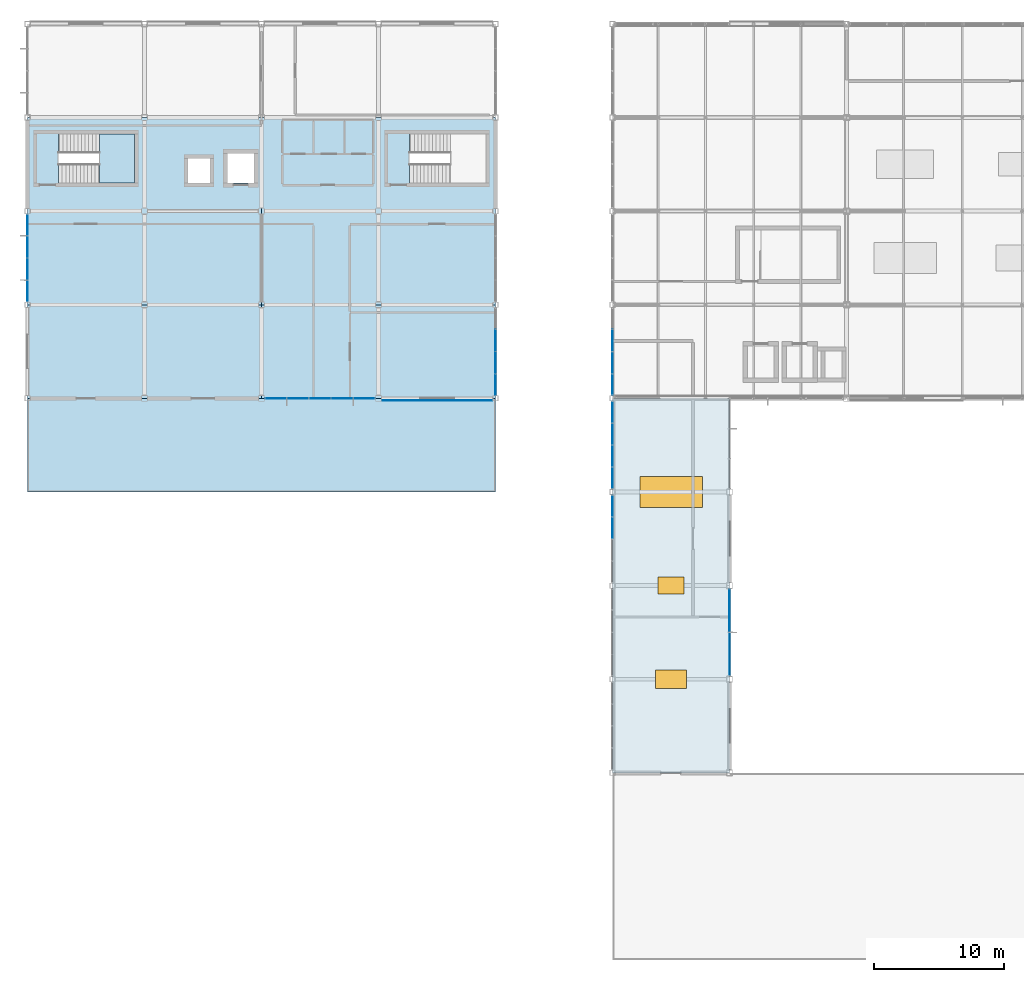
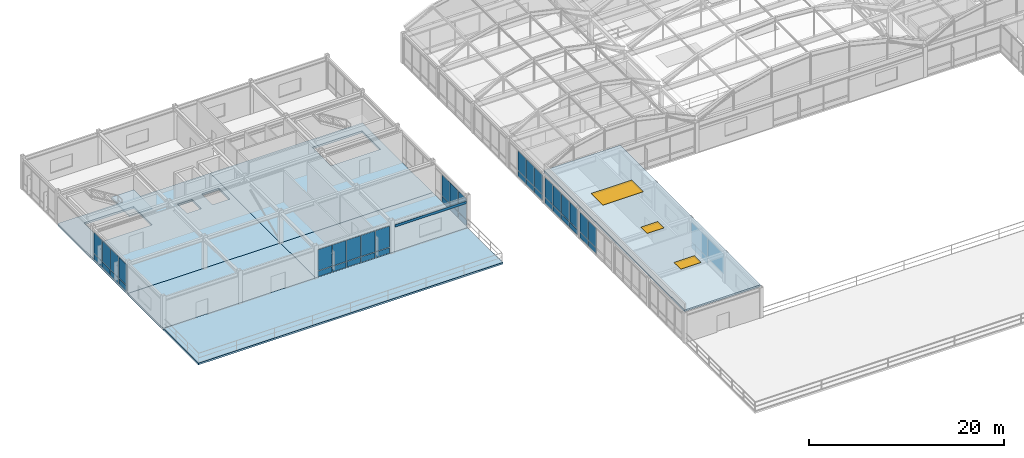
# One storey, part 77 of 106: 46 plates, 7 slabs, 3 windows, 3 openings, 8 elements without a shape of their own.
"""IFC4 building model written with IfcOpenShell, lengths in metres."""

from ifc_helpers import new_model, si_unit, direction, frame, origin, origin_2d, place, context, subcontext, project, spatial, polyline, rectangle, outline, extrude, material, layer, layer_set, type_object, element, fill, aggregate, save


model = new_model("IFC4")

# Units and contexts
model_context = context("Model", 3, precision=1e-05, world=origin(), true_north=direction((0.0, 1.0)))
body_context = subcontext(model_context, "Body", "Model", "MODEL_VIEW")
ifc_project = project(units=[si_unit("LENGTHUNIT", "METRE"), si_unit("AREAUNIT", "SQUARE_METRE"), si_unit("VOLUMEUNIT", "CUBIC_METRE"), si_unit("PLANEANGLEUNIT", "RADIAN"), si_unit("MASSUNIT", "GRAM", prefix="KILO")], contexts=[model_context])

# Site, building, storey
site_placement = place(None, origin())
site = spatial("IfcSite", under=ifc_project, at=site_placement, CompositionType="ELEMENT")
building_placement = place(site_placement, origin())
building = spatial("IfcBuilding", under=site, at=building_placement, Name="Kazanami Central Library", CompositionType="ELEMENT")
storey_placement = place(building_placement, frame((0.0, 0.0, 12.800048828125)))
storey = spatial("IfcBuildingStorey", under=building, at=storey_placement, Name="L04", CompositionType="ELEMENT", Elevation=12.800048828125)

# Curtain wall, plates
ifc_material_1 = material(Name="Acid-Etched Low-E Laminated Glass", Category="glass")
curtain_wall_type_1 = type_object("IfcCurtainWallType", Name="CW-8550x3490-M180", PredefinedType="USERDEFINED", material=ifc_material_1)
curtain_wall_1_placement = place(storey_placement, origin())
curtain_wall_1 = element("IfcCurtainWall", 1, at=curtain_wall_1_placement, inside=storey, type_object=curtain_wall_type_1, Name="Unitised Curtain Wall CW-39 L04 S-K-02", ObjectType="UNITISED CURTAIN WALL", PredefinedType="USERDEFINED")
ifc_layer_1 = layer(ifc_material_1, 0.035888671875, Name="Acid-Etched Low-E Laminated Glass")
ifc_layer_set_1 = layer_set([ifc_layer_1], Name="Acid-Etched Low-E Laminated Glass")
plate_type_1 = type_object("IfcPlateType", Name="PLT-CW-P1", PredefinedType="CURTAIN_PANEL", material=ifc_layer_set_1)
plate_1_placement = place(storey_placement, frame((19.094970703125, 64.800048828125, 0.809814453125), z_axis=(0.0, 0.0, 1.0), x_axis=(1.0, 0.0, 0.0)))
plate_1 = element("IfcPlate", 2, at=plate_1_placement, type_object=plate_type_1, Name="CW-39 panel 1.2", PredefinedType="CURTAIN_PANEL", context=body_context, shape_type="SweptSolid", body=[
    extrude(rectangle(XDim=1.6201171875, YDim=0.035888671875, at=origin_2d()), origin(), (0.0, 0.0, 1.0), 2.6201171875),
])
plate_2_placement = place(storey_placement, frame((20.7900390625, 64.800048828125, 0.809814453125), z_axis=(0.0, 0.0, 1.0), x_axis=(1.0, 0.0, 0.0)))
plate_2 = element("IfcPlate", 3, at=plate_2_placement, type_object=plate_type_1, Name="CW-39 panel 2.2", PredefinedType="CURTAIN_PANEL", context=body_context, shape_type="SweptSolid", body=[
    extrude(rectangle(XDim=1.64990234375, YDim=0.035888671875, at=origin_2d()), origin(), (0.0, 0.0, 1.0), 2.6201171875),
])
plate_3_placement = place(storey_placement, frame((22.5, 64.800048828125, 0.809814453125), z_axis=(0.0, 0.0, 1.0), x_axis=(1.0, 0.0, 0.0)))
plate_3 = element("IfcPlate", 4, at=plate_3_placement, type_object=plate_type_1, Name="CW-39 panel 3.2", PredefinedType="CURTAIN_PANEL", context=body_context, shape_type="SweptSolid", body=[
    extrude(rectangle(XDim=1.64990234375, YDim=0.035888671875, at=origin_2d()), origin(), (0.0, 0.0, 1.0), 2.6201171875),
])
plate_4_placement = place(storey_placement, frame((24.2099609375, 64.800048828125, 0.809814453125), z_axis=(0.0, 0.0, 1.0), x_axis=(1.0, 0.0, 0.0)))
plate_4 = element("IfcPlate", 5, at=plate_4_placement, type_object=plate_type_1, Name="CW-39 panel 4.2", PredefinedType="CURTAIN_PANEL", context=body_context, shape_type="SweptSolid", body=[
    extrude(rectangle(XDim=1.64990234375, YDim=0.035888671875, at=origin_2d()), origin(), (0.0, 0.0, 1.0), 2.6201171875),
])
plate_5_placement = place(storey_placement, frame((25.905029296875, 64.800048828125, 0.809814453125), z_axis=(0.0, 0.0, 1.0), x_axis=(1.0, 0.0, 0.0)))
plate_5 = element("IfcPlate", 6, at=plate_5_placement, type_object=plate_type_1, Name="CW-39 panel 5.2", PredefinedType="CURTAIN_PANEL", context=body_context, shape_type="SweptSolid", body=[
    extrude(rectangle(XDim=1.6201171875, YDim=0.035888671875, at=origin_2d()), origin(), (0.0, 0.0, 1.0), 2.6201171875),
])

curtain_wall_type_2 = type_object("IfcCurtainWallType", Name="CW-6800x3490-M180", PredefinedType="USERDEFINED", material=ifc_material_1)
curtain_wall_2_placement = place(storey_placement, origin())
curtain_wall_2 = element("IfcCurtainWall", 7, at=curtain_wall_2_placement, inside=storey, type_object=curtain_wall_type_2, Name="Unitised Curtain Wall CW-43 L04 W-1-10", ObjectType="UNITISED CURTAIN WALL", PredefinedType="USERDEFINED")
plate_6_placement = place(storey_placement, frame((0.0, 73.06494140625, 0.809814453125), z_axis=(0.0, 0.0, 1.0), x_axis=(0.0, 1.0, 0.0)))
plate_6 = element("IfcPlate", 8, at=plate_6_placement, type_object=plate_type_1, Name="CW-43 panel 1.2", PredefinedType="CURTAIN_PANEL", context=body_context, shape_type="SweptSolid", body=[
    extrude(rectangle(XDim=1.610107421875, YDim=0.035888671875, at=origin_2d()), origin(), (0.0, 0.0, 1.0), 2.6201171875),
])
plate_7_placement = place(storey_placement, frame((0.0, 74.75, 0.809814453125), z_axis=(0.0, 0.0, 1.0), x_axis=(0.0, 1.0, 0.0)))
plate_7 = element("IfcPlate", 9, at=plate_7_placement, type_object=plate_type_1, Name="CW-43 panel 2.2", PredefinedType="CURTAIN_PANEL", context=body_context, shape_type="SweptSolid", body=[
    extrude(rectangle(XDim=1.639892578125, YDim=0.035888671875, at=origin_2d()), origin(), (0.0, 0.0, 1.0), 2.6201171875),
])
plate_8_placement = place(storey_placement, frame((0.0, 76.449951171875, 0.809814453125), z_axis=(0.0, 0.0, 1.0), x_axis=(0.0, 1.0, 0.0)))
plate_8 = element("IfcPlate", 10, at=plate_8_placement, type_object=plate_type_1, Name="CW-43 panel 3.2", PredefinedType="CURTAIN_PANEL", context=body_context, shape_type="SweptSolid", body=[
    extrude(rectangle(XDim=1.639892578125, YDim=0.035888671875, at=origin_2d()), origin(), (0.0, 0.0, 1.0), 2.6201171875),
])
plate_9_placement = place(storey_placement, frame((0.0, 78.135009765625, 0.809814453125), z_axis=(0.0, 0.0, 1.0), x_axis=(0.0, 1.0, 0.0)))
plate_9 = element("IfcPlate", 11, at=plate_9_placement, type_object=plate_type_1, Name="CW-43 panel 4.2", PredefinedType="CURTAIN_PANEL", context=body_context, shape_type="SweptSolid", body=[
    extrude(rectangle(XDim=1.610107421875, YDim=0.035888671875, at=origin_2d()), origin(), (0.0, 0.0, 1.0), 2.6201171875),
])

curtain_wall_type_3 = type_object("IfcCurtainWallType", Name="CW-6750x3330-M275", PredefinedType="USERDEFINED", material=ifc_material_1)
curtain_wall_3_placement = place(storey_placement, origin())
curtain_wall_3 = element("IfcCurtainWall", 12, at=curtain_wall_3_placement, inside=storey, type_object=curtain_wall_type_3, Name="Unitised Curtain Wall CW-45 L04 E-7-06", ObjectType="UNITISED CURTAIN WALL", PredefinedType="USERDEFINED")
plate_10_placement = place(storey_placement, frame((54.0, 48.469970703125, 0.81494140625), z_axis=(0.0, 0.0, 1.0), x_axis=(0.0, -1.0, 0.0)))
plate_10 = element("IfcPlate", 13, at=plate_10_placement, type_object=plate_type_1, Name="CW-45 panel 1.2", PredefinedType="CURTAIN_PANEL", context=body_context, shape_type="SweptSolid", body=[
    extrude(rectangle(XDim=3.27001953125, YDim=0.035888671875, at=origin_2d()), origin(), (0.0, 0.0, 1.0), 2.445068359375),
])
plate_11_placement = place(storey_placement, frame((54.0, 45.1298828125, 0.81494140625), z_axis=(0.0, 0.0, 1.0), x_axis=(0.0, -1.0, 0.0)))
plate_11 = element("IfcPlate", 14, at=plate_11_placement, type_object=plate_type_1, Name="CW-45 panel 2.2", PredefinedType="CURTAIN_PANEL", context=body_context, shape_type="SweptSolid", body=[
    extrude(rectangle(XDim=3.27001953125, YDim=0.035888671875, at=origin_2d()), origin(), (0.0, 0.0, 1.0), 2.445068359375),
])

curtain_wall_4_placement = place(storey_placement, origin())
curtain_wall_4 = element("IfcCurtainWall", 15, at=curtain_wall_4_placement, inside=storey, type_object=curtain_wall_type_2, Name="Covered Link Bridge Curtain Wall CW-43 L04 E-5-09", ObjectType="UNITISED CURTAIN WALL", PredefinedType="USERDEFINED")
ifc_material_2 = material(Name="Low-E Insulated Triple Glass", Category="glass")
ifc_layer_2 = layer(ifc_material_2, 0.0400390625, Name="Low-E Insulated Triple Glass")
ifc_layer_set_2 = layer_set([ifc_layer_2], Name="Low-E Insulated Triple Glass")
plate_type_2 = type_object("IfcPlateType", Name="PLT-CW-P3", PredefinedType="CURTAIN_PANEL", material=ifc_layer_set_2)
plate_12_placement = place(storey_placement, frame((36.0, 69.25, 0.809814453125), z_axis=(0.0, 0.0, 1.0), x_axis=(0.0, -1.0, 0.0)))
plate_12 = element("IfcPlate", 16, at=plate_12_placement, type_object=plate_type_2, Name="CW-43 panel 2.2", PredefinedType="CURTAIN_PANEL", context=body_context, shape_type="SweptSolid", body=[
    extrude(rectangle(XDim=1.639892578125, YDim=0.0400390625, at=origin_2d()), origin(), (0.0, 0.0, 1.0), 2.6201171875),
])
plate_13_placement = place(storey_placement, frame((36.0, 67.550048828125, 0.809814453125), z_axis=(0.0, 0.0, 1.0), x_axis=(0.0, -1.0, 0.0)))
plate_13 = element("IfcPlate", 17, at=plate_13_placement, type_object=plate_type_2, Name="CW-43 panel 3.2", PredefinedType="CURTAIN_PANEL", context=body_context, shape_type="SweptSolid", body=[
    extrude(rectangle(XDim=1.639892578125, YDim=0.0400390625, at=origin_2d()), origin(), (0.0, 0.0, 1.0), 2.6201171875),
])
plate_14_placement = place(storey_placement, frame((36.0, 65.864990234375, 0.809814453125), z_axis=(0.0, 0.0, 1.0), x_axis=(0.0, -1.0, 0.0)))
plate_14 = element("IfcPlate", 18, at=plate_14_placement, type_object=plate_type_2, Name="CW-43 panel 4.2", PredefinedType="CURTAIN_PANEL", context=body_context, shape_type="SweptSolid", body=[
    extrude(rectangle(XDim=1.610107421875, YDim=0.0400390625, at=origin_2d()), origin(), (0.0, 0.0, 1.0), 2.6201171875),
])

curtain_wall_type_4 = type_object("IfcCurtainWallType", Name="CW-6800x3330-M180", PredefinedType="USERDEFINED", material=ifc_material_1)
curtain_wall_5_placement = place(storey_placement, origin())
curtain_wall_5 = element("IfcCurtainWall", 19, at=curtain_wall_5_placement, inside=storey, type_object=curtain_wall_type_4, Name="Covered Link Bridge Curtain Wall CW-44 L04 W-6-07", ObjectType="UNITISED CURTAIN WALL", PredefinedType="USERDEFINED")
plate_15_placement = place(storey_placement, frame((45.0, 54.85009765625, 0.81494140625), z_axis=(0.0, 0.0, 1.0), x_axis=(0.0, 1.0, 0.0)))
plate_15 = element("IfcPlate", 20, at=plate_15_placement, type_object=plate_type_2, Name="CW-44 panel 3.2", PredefinedType="CURTAIN_PANEL", context=body_context, shape_type="SweptSolid", body=[
    extrude(rectangle(XDim=1.6298828125, YDim=0.0400390625, at=origin_2d()), origin(), (0.0, 0.0, 1.0), 2.445068359375),
])
plate_16_placement = place(storey_placement, frame((45.0, 56.532470703125, 0.81494140625), z_axis=(0.0, 0.0, 1.0), x_axis=(0.0, 1.0, 0.0)))
plate_16 = element("IfcPlate", 21, at=plate_16_placement, type_object=plate_type_2, Name="CW-44 panel 4.2", PredefinedType="CURTAIN_PANEL", context=body_context, shape_type="SweptSolid", body=[
    extrude(rectangle(XDim=1.594970703125, YDim=0.0400390625, at=origin_2d()), origin(), (0.0, 0.0, 1.0), 2.445068359375),
])

curtain_wall_6_placement = place(storey_placement, origin())
curtain_wall_6 = element("IfcCurtainWall", 22, at=curtain_wall_6_placement, inside=storey, type_object=curtain_wall_type_4, Name="Covered Link Bridge Curtain Wall CW-44 L04 W-6-08", ObjectType="UNITISED CURTAIN WALL", PredefinedType="USERDEFINED")
plate_17_placement = place(storey_placement, frame((45.0, 58.66748046875, 0.81494140625), z_axis=(0.0, 0.0, 1.0), x_axis=(0.0, 1.0, 0.0)))
plate_17 = element("IfcPlate", 23, at=plate_17_placement, type_object=plate_type_2, Name="CW-44 panel 1.2", PredefinedType="CURTAIN_PANEL", context=body_context, shape_type="SweptSolid", body=[
    extrude(rectangle(XDim=1.594970703125, YDim=0.0400390625, at=origin_2d()), origin(), (0.0, 0.0, 1.0), 2.445068359375),
])
plate_18_placement = place(storey_placement, frame((45.0, 60.35009765625, 0.81494140625), z_axis=(0.0, 0.0, 1.0), x_axis=(0.0, 1.0, 0.0)))
plate_18 = element("IfcPlate", 24, at=plate_18_placement, type_object=plate_type_2, Name="CW-44 panel 2.2", PredefinedType="CURTAIN_PANEL", context=body_context, shape_type="SweptSolid", body=[
    extrude(rectangle(XDim=1.6298828125, YDim=0.0400390625, at=origin_2d()), origin(), (0.0, 0.0, 1.0), 2.445068359375),
])
plate_19_placement = place(storey_placement, frame((45.0, 62.050048828125, 0.81494140625), z_axis=(0.0, 0.0, 1.0), x_axis=(0.0, 1.0, 0.0)))
plate_19 = element("IfcPlate", 25, at=plate_19_placement, type_object=plate_type_2, Name="CW-44 panel 3.2", PredefinedType="CURTAIN_PANEL", context=body_context, shape_type="SweptSolid", body=[
    extrude(rectangle(XDim=1.6298828125, YDim=0.0400390625, at=origin_2d()), origin(), (0.0, 0.0, 1.0), 2.445068359375),
])
plate_20_placement = place(storey_placement, frame((45.0, 63.732421875, 0.81494140625), z_axis=(0.0, 0.0, 1.0), x_axis=(0.0, 1.0, 0.0)))
plate_20 = element("IfcPlate", 26, at=plate_20_placement, type_object=plate_type_2, Name="CW-44 panel 4.2", PredefinedType="CURTAIN_PANEL", context=body_context, shape_type="SweptSolid", body=[
    extrude(rectangle(XDim=1.594970703125, YDim=0.0400390625, at=origin_2d()), origin(), (0.0, 0.0, 1.0), 2.445068359375),
])

curtain_wall_7_placement = place(storey_placement, origin())
curtain_wall_7 = element("IfcCurtainWall", 27, at=curtain_wall_7_placement, inside=storey, type_object=curtain_wall_type_4, Name="Covered Link Bridge Curtain Wall CW-44 L04 W-6-09", ObjectType="UNITISED CURTAIN WALL", PredefinedType="USERDEFINED")
plate_21_placement = place(storey_placement, frame((45.0, 65.867431640625, 0.81494140625), z_axis=(0.0, 0.0, 1.0), x_axis=(0.0, 1.0, 0.0)))
plate_21 = element("IfcPlate", 28, at=plate_21_placement, type_object=plate_type_2, Name="CW-44 panel 1.2", PredefinedType="CURTAIN_PANEL", context=body_context, shape_type="SweptSolid", body=[
    extrude(rectangle(XDim=1.594970703125, YDim=0.0400390625, at=origin_2d()), origin(), (0.0, 0.0, 1.0), 2.445068359375),
])
plate_22_placement = place(storey_placement, frame((45.0, 67.550048828125, 0.81494140625), z_axis=(0.0, 0.0, 1.0), x_axis=(0.0, 1.0, 0.0)))
plate_22 = element("IfcPlate", 29, at=plate_22_placement, type_object=plate_type_2, Name="CW-44 panel 2.2", PredefinedType="CURTAIN_PANEL", context=body_context, shape_type="SweptSolid", body=[
    extrude(rectangle(XDim=1.6298828125, YDim=0.0400390625, at=origin_2d()), origin(), (0.0, 0.0, 1.0), 2.445068359375),
])
plate_23_placement = place(storey_placement, frame((45.0, 69.25, 0.81494140625), z_axis=(0.0, 0.0, 1.0), x_axis=(0.0, 1.0, 0.0)))
plate_23 = element("IfcPlate", 30, at=plate_23_placement, type_object=plate_type_2, Name="CW-44 panel 3.2", PredefinedType="CURTAIN_PANEL", context=body_context, shape_type="SweptSolid", body=[
    extrude(rectangle(XDim=1.6298828125, YDim=0.0400390625, at=origin_2d()), origin(), (0.0, 0.0, 1.0), 2.445068359375),
])

# Plate
ifc_material_3 = material(Name="Anodised Aluminium A5052-H32", Category="aluminium")
ifc_layer_3 = layer(ifc_material_3, 0.06005859375, Name="Anodised Aluminium A5052-H32")
ifc_layer_set_3 = layer_set([ifc_layer_3], Name="Anodised Aluminium A5052-H32")
plate_type_3 = type_object("IfcPlateType", Name="PLT-CW-SP1", PredefinedType="CURTAIN_PANEL", material=ifc_layer_set_3)
plate_24_placement = place(storey_placement, frame((45.0, 54.85009765625, 0.06982421875), z_axis=(0.0, 0.0, 1.0), x_axis=(0.0, 1.0, 0.0)))
plate_24 = element("IfcPlate", 31, at=plate_24_placement, type_object=plate_type_3, Name="CW-44 panel 3.1", PredefinedType="CURTAIN_PANEL", context=body_context, shape_type="SweptSolid", body=[
    extrude(rectangle(XDim=1.6298828125, YDim=0.06005859375, at=origin_2d()), origin(), (0.0, 0.0, 1.0), 0.675048828125),
])

plate_25_placement = place(storey_placement, frame((45.0, 56.532470703125, 0.06982421875), z_axis=(0.0, 0.0, 1.0), x_axis=(0.0, 1.0, 0.0)))
plate_25 = element("IfcPlate", 32, at=plate_25_placement, type_object=plate_type_3, Name="CW-44 panel 4.1", PredefinedType="CURTAIN_PANEL", context=body_context, shape_type="SweptSolid", body=[
    extrude(rectangle(XDim=1.594970703125, YDim=0.06005859375, at=origin_2d()), origin(), (0.0, 0.0, 1.0), 0.675048828125),
])

aggregate(curtain_wall_5, [plate_24, plate_15, plate_25, plate_16])

plate_26_placement = place(storey_placement, frame((45.0, 58.66748046875, 0.06982421875), z_axis=(0.0, 0.0, 1.0), x_axis=(0.0, 1.0, 0.0)))
plate_26 = element("IfcPlate", 33, at=plate_26_placement, type_object=plate_type_3, Name="CW-44 panel 1.1", PredefinedType="CURTAIN_PANEL", context=body_context, shape_type="SweptSolid", body=[
    extrude(rectangle(XDim=1.594970703125, YDim=0.06005859375, at=origin_2d()), origin(), (0.0, 0.0, 1.0), 0.675048828125),
])

plate_27_placement = place(storey_placement, frame((45.0, 60.35009765625, 0.06982421875), z_axis=(0.0, 0.0, 1.0), x_axis=(0.0, 1.0, 0.0)))
plate_27 = element("IfcPlate", 34, at=plate_27_placement, type_object=plate_type_3, Name="CW-44 panel 2.1", PredefinedType="CURTAIN_PANEL", context=body_context, shape_type="SweptSolid", body=[
    extrude(rectangle(XDim=1.6298828125, YDim=0.06005859375, at=origin_2d()), origin(), (0.0, 0.0, 1.0), 0.675048828125),
])

plate_28_placement = place(storey_placement, frame((45.0, 62.050048828125, 0.06982421875), z_axis=(0.0, 0.0, 1.0), x_axis=(0.0, 1.0, 0.0)))
plate_28 = element("IfcPlate", 35, at=plate_28_placement, type_object=plate_type_3, Name="CW-44 panel 3.1", PredefinedType="CURTAIN_PANEL", context=body_context, shape_type="SweptSolid", body=[
    extrude(rectangle(XDim=1.6298828125, YDim=0.06005859375, at=origin_2d()), origin(), (0.0, 0.0, 1.0), 0.675048828125),
])

plate_29_placement = place(storey_placement, frame((45.0, 63.732421875, 0.06982421875), z_axis=(0.0, 0.0, 1.0), x_axis=(0.0, 1.0, 0.0)))
plate_29 = element("IfcPlate", 36, at=plate_29_placement, type_object=plate_type_3, Name="CW-44 panel 4.1", PredefinedType="CURTAIN_PANEL", context=body_context, shape_type="SweptSolid", body=[
    extrude(rectangle(XDim=1.594970703125, YDim=0.06005859375, at=origin_2d()), origin(), (0.0, 0.0, 1.0), 0.675048828125),
])

aggregate(curtain_wall_6, [plate_26, plate_17, plate_27, plate_18, plate_28, plate_19, plate_29, plate_20])

plate_30_placement = place(storey_placement, frame((45.0, 65.867431640625, 0.06982421875), z_axis=(0.0, 0.0, 1.0), x_axis=(0.0, 1.0, 0.0)))
plate_30 = element("IfcPlate", 37, at=plate_30_placement, type_object=plate_type_3, Name="CW-44 panel 1.1", PredefinedType="CURTAIN_PANEL", context=body_context, shape_type="SweptSolid", body=[
    extrude(rectangle(XDim=1.594970703125, YDim=0.06005859375, at=origin_2d()), origin(), (0.0, 0.0, 1.0), 0.675048828125),
])

plate_31_placement = place(storey_placement, frame((45.0, 67.550048828125, 0.06982421875), z_axis=(0.0, 0.0, 1.0), x_axis=(0.0, 1.0, 0.0)))
plate_31 = element("IfcPlate", 38, at=plate_31_placement, type_object=plate_type_3, Name="CW-44 panel 2.1", PredefinedType="CURTAIN_PANEL", context=body_context, shape_type="SweptSolid", body=[
    extrude(rectangle(XDim=1.6298828125, YDim=0.06005859375, at=origin_2d()), origin(), (0.0, 0.0, 1.0), 0.675048828125),
])

plate_32_placement = place(storey_placement, frame((45.0, 69.25, 0.06982421875), z_axis=(0.0, 0.0, 1.0), x_axis=(0.0, 1.0, 0.0)))
plate_32 = element("IfcPlate", 39, at=plate_32_placement, type_object=plate_type_3, Name="CW-44 panel 3.1", PredefinedType="CURTAIN_PANEL", context=body_context, shape_type="SweptSolid", body=[
    extrude(rectangle(XDim=1.6298828125, YDim=0.06005859375, at=origin_2d()), origin(), (0.0, 0.0, 1.0), 0.675048828125),
])

aggregate(curtain_wall_7, [plate_30, plate_21, plate_31, plate_22, plate_32, plate_23])

plate_33_placement = place(storey_placement, frame((54.0, 48.469970703125, 0.06982421875), z_axis=(0.0, 0.0, 1.0), x_axis=(0.0, -1.0, 0.0)))
plate_33 = element("IfcPlate", 40, at=plate_33_placement, type_object=plate_type_3, Name="CW-45 panel 1.1", PredefinedType="CURTAIN_PANEL", context=body_context, shape_type="SweptSolid", body=[
    extrude(rectangle(XDim=3.27001953125, YDim=0.06005859375, at=origin_2d()), origin(), (0.0, 0.0, 1.0), 0.675048828125),
])

aggregate(curtain_wall_3, [plate_33, plate_10, plate_11])

ifc_layer_4 = layer(ifc_material_3, 0.052001953125, Name="Anodised Aluminium A5052-H32")
ifc_layer_set_4 = layer_set([ifc_layer_4], Name="Anodised Aluminium A5052-H32")
plate_type_4 = type_object("IfcPlateType", Name="PLT-CW-SP2", PredefinedType="CURTAIN_PANEL", material=ifc_layer_set_4)
plate_34_placement = place(storey_placement, frame((36.0, 69.25, 0.06005859375), z_axis=(0.0, 0.0, 1.0), x_axis=(0.0, -1.0, 0.0)))
plate_34 = element("IfcPlate", 41, at=plate_34_placement, type_object=plate_type_4, Name="CW-43 panel 2.1", PredefinedType="CURTAIN_PANEL", context=body_context, shape_type="SweptSolid", body=[
    extrude(rectangle(XDim=1.639892578125, YDim=0.052001953125, at=origin_2d()), origin(), (0.0, 0.0, 1.0), 0.68994140625),
])

plate_35_placement = place(storey_placement, frame((36.0, 67.550048828125, 0.06005859375), z_axis=(0.0, 0.0, 1.0), x_axis=(0.0, -1.0, 0.0)))
plate_35 = element("IfcPlate", 42, at=plate_35_placement, type_object=plate_type_4, Name="CW-43 panel 3.1", PredefinedType="CURTAIN_PANEL", context=body_context, shape_type="SweptSolid", body=[
    extrude(rectangle(XDim=1.639892578125, YDim=0.052001953125, at=origin_2d()), origin(), (0.0, 0.0, 1.0), 0.68994140625),
])

plate_36_placement = place(storey_placement, frame((36.0, 65.864990234375, 0.06005859375), z_axis=(0.0, 0.0, 1.0), x_axis=(0.0, -1.0, 0.0)))
plate_36 = element("IfcPlate", 43, at=plate_36_placement, type_object=plate_type_4, Name="CW-43 panel 4.1", PredefinedType="CURTAIN_PANEL", context=body_context, shape_type="SweptSolid", body=[
    extrude(rectangle(XDim=1.610107421875, YDim=0.052001953125, at=origin_2d()), origin(), (0.0, 0.0, 1.0), 0.68994140625),
])

aggregate(curtain_wall_4, [plate_34, plate_12, plate_35, plate_13, plate_36, plate_14])

ifc_layer_5 = layer(ifc_material_3, 0.048095703125, Name="Anodised Aluminium A5052-H32")
ifc_layer_set_5 = layer_set([ifc_layer_5], Name="Anodised Aluminium A5052-H32")
plate_type_5 = type_object("IfcPlateType", Name="PLT-CW-SP3", PredefinedType="CURTAIN_PANEL", material=ifc_layer_set_5)
plate_37_placement = place(storey_placement, frame((19.094970703125, 64.800048828125, 0.06005859375), z_axis=(0.0, 0.0, 1.0), x_axis=(1.0, 0.0, 0.0)))
plate_37 = element("IfcPlate", 44, at=plate_37_placement, type_object=plate_type_5, Name="CW-39 panel 1.1", PredefinedType="CURTAIN_PANEL", context=body_context, shape_type="SweptSolid", body=[
    extrude(rectangle(XDim=1.6201171875, YDim=0.048095703125, at=origin_2d()), origin(), (0.0, 0.0, 1.0), 0.68994140625),
])

plate_38_placement = place(storey_placement, frame((20.7900390625, 64.800048828125, 0.06005859375), z_axis=(0.0, 0.0, 1.0), x_axis=(1.0, 0.0, 0.0)))
plate_38 = element("IfcPlate", 45, at=plate_38_placement, type_object=plate_type_5, Name="CW-39 panel 2.1", PredefinedType="CURTAIN_PANEL", context=body_context, shape_type="SweptSolid", body=[
    extrude(rectangle(XDim=1.64990234375, YDim=0.048095703125, at=origin_2d()), origin(), (0.0, 0.0, 1.0), 0.68994140625),
])

plate_39_placement = place(storey_placement, frame((22.5, 64.800048828125, 0.06005859375), z_axis=(0.0, 0.0, 1.0), x_axis=(1.0, 0.0, 0.0)))
plate_39 = element("IfcPlate", 46, at=plate_39_placement, type_object=plate_type_5, Name="CW-39 panel 3.1", PredefinedType="CURTAIN_PANEL", context=body_context, shape_type="SweptSolid", body=[
    extrude(rectangle(XDim=1.64990234375, YDim=0.048095703125, at=origin_2d()), origin(), (0.0, 0.0, 1.0), 0.68994140625),
])

plate_40_placement = place(storey_placement, frame((24.2099609375, 64.800048828125, 0.06005859375), z_axis=(0.0, 0.0, 1.0), x_axis=(1.0, 0.0, 0.0)))
plate_40 = element("IfcPlate", 47, at=plate_40_placement, type_object=plate_type_5, Name="CW-39 panel 4.1", PredefinedType="CURTAIN_PANEL", context=body_context, shape_type="SweptSolid", body=[
    extrude(rectangle(XDim=1.64990234375, YDim=0.048095703125, at=origin_2d()), origin(), (0.0, 0.0, 1.0), 0.68994140625),
])

plate_41_placement = place(storey_placement, frame((25.905029296875, 64.800048828125, 0.06005859375), z_axis=(0.0, 0.0, 1.0), x_axis=(1.0, 0.0, 0.0)))
plate_41 = element("IfcPlate", 48, at=plate_41_placement, type_object=plate_type_5, Name="CW-39 panel 5.1", PredefinedType="CURTAIN_PANEL", context=body_context, shape_type="SweptSolid", body=[
    extrude(rectangle(XDim=1.6201171875, YDim=0.048095703125, at=origin_2d()), origin(), (0.0, 0.0, 1.0), 0.68994140625),
])

aggregate(curtain_wall_1, [plate_37, plate_1, plate_38, plate_2, plate_39, plate_3, plate_40, plate_4, plate_41, plate_5])

plate_42_placement = place(storey_placement, frame((0.0, 73.06494140625, 0.06005859375), z_axis=(0.0, 0.0, 1.0), x_axis=(0.0, 1.0, 0.0)))
plate_42 = element("IfcPlate", 49, at=plate_42_placement, type_object=plate_type_5, Name="CW-43 panel 1.1", PredefinedType="CURTAIN_PANEL", context=body_context, shape_type="SweptSolid", body=[
    extrude(rectangle(XDim=1.610107421875, YDim=0.048095703125, at=origin_2d()), origin(), (0.0, 0.0, 1.0), 0.68994140625),
])

plate_43_placement = place(storey_placement, frame((0.0, 74.75, 0.06005859375), z_axis=(0.0, 0.0, 1.0), x_axis=(0.0, 1.0, 0.0)))
plate_43 = element("IfcPlate", 50, at=plate_43_placement, type_object=plate_type_5, Name="CW-43 panel 2.1", PredefinedType="CURTAIN_PANEL", context=body_context, shape_type="SweptSolid", body=[
    extrude(rectangle(XDim=1.639892578125, YDim=0.048095703125, at=origin_2d()), origin(), (0.0, 0.0, 1.0), 0.68994140625),
])

plate_44_placement = place(storey_placement, frame((0.0, 76.449951171875, 0.06005859375), z_axis=(0.0, 0.0, 1.0), x_axis=(0.0, 1.0, 0.0)))
plate_44 = element("IfcPlate", 51, at=plate_44_placement, type_object=plate_type_5, Name="CW-43 panel 3.1", PredefinedType="CURTAIN_PANEL", context=body_context, shape_type="SweptSolid", body=[
    extrude(rectangle(XDim=1.639892578125, YDim=0.048095703125, at=origin_2d()), origin(), (0.0, 0.0, 1.0), 0.68994140625),
])

plate_45_placement = place(storey_placement, frame((0.0, 78.135009765625, 0.06005859375), z_axis=(0.0, 0.0, 1.0), x_axis=(0.0, 1.0, 0.0)))
plate_45 = element("IfcPlate", 52, at=plate_45_placement, type_object=plate_type_5, Name="CW-43 panel 4.1", PredefinedType="CURTAIN_PANEL", context=body_context, shape_type="SweptSolid", body=[
    extrude(rectangle(XDim=1.610107421875, YDim=0.048095703125, at=origin_2d()), origin(), (0.0, 0.0, 1.0), 0.68994140625),
])

aggregate(curtain_wall_2, [plate_42, plate_6, plate_43, plate_7, plate_44, plate_8, plate_45, plate_9])

ifc_layer_6 = layer(ifc_material_3, 0.011962890625, Name="Anodised Aluminium A5052-H32")
ifc_layer_set_6 = layer_set([ifc_layer_6], Name="Anodised Aluminium A5052-H32")
plate_type_6 = type_object("IfcPlateType", Name="PLT-SPN-12", PredefinedType="SHEET", material=ifc_layer_set_6)
plate_46_placement = place(storey_placement, frame((31.512451171875, 64.634033203125, 3.1796875), z_axis=(0.0, 0.0, 1.0), x_axis=(1.0, 0.0, 0.0)))
element("IfcPlate", 53, at=plate_46_placement, inside=storey, type_object=plate_type_6, Name="Architectural Spandrel Sheet SPN-12 L04 S-K-03", PredefinedType="SHEET", context=body_context, shape_type="SweptSolid", body=[
    extrude(rectangle(XDim=8.47509765625, YDim=0.011962890625, at=origin_2d()), origin(), (0.0, 0.0, 1.0), 0.300048828125),
])

# Slabs
ifc_material_4 = material(Name="Concrete Fc36 (36 MPa)", Category="concrete")
ifc_layer_7 = layer(ifc_material_4, 0.2548828125, Name="Concrete Fc36 (36 MPa)")
ifc_layer_set_7 = layer_set([ifc_layer_7], Name="Concrete Fc36 (36 MPa)")
slab_type_1 = type_object("IfcSlabType", Name="SLB-FLR-255", PredefinedType="FLOOR", material=ifc_layer_set_7)
slab_1_placement = place(storey_placement, frame((0.0, 0.0, -0.255126953125)))
element("IfcSlab", 54, at=slab_1_placement, inside=storey, type_object=slab_type_1, Name="Composite Floor Slab L04 V4-UPPER Zone 1", PredefinedType="FLOOR", context=body_context, shape_type="SweptSolid", body=[
    extrude(outline(polyline([(0.0, 64.800048828125), (18.0, 64.800048828125), (18.0, 72.0), (0.0, 72.0), (0.0, 64.800048828125)])), origin(), (0.0, 0.0, 1.0), 0.255126953125),
])
slab_2_placement = place(storey_placement, frame((0.0, 0.0, -0.255126953125)))
element("IfcSlab", 55, at=slab_2_placement, inside=storey, type_object=slab_type_1, Name="Composite Floor Slab L04 V4-UPPER Zone 2", PredefinedType="FLOOR", context=body_context, shape_type="SweptSolid", body=[
    extrude(outline(polyline([(0.0, 72.0), (18.0, 72.0), (18.0, 86.39990234375), (0.0, 86.39990234375), (0.0, 72.0)]), holes=[polyline([(2.39990234375, 81.35009765625), (8.25, 81.35009765625), (8.25, 85.14990234375), (2.39990234375, 85.14990234375), (2.39990234375, 81.35009765625)]), polyline([(15.375, 81.375), (17.425048828125, 81.375), (17.425048828125, 83.625), (15.375, 83.625), (15.375, 81.375)]), polyline([(12.35009765625, 81.35009765625), (14.050048828125, 81.35009765625), (14.050048828125, 83.25), (12.35009765625, 83.25), (12.35009765625, 81.35009765625)])]), origin(), (0.0, 0.0, 1.0), 0.255126953125),
])
slab_3_placement = place(storey_placement, frame((0.0, 0.0, -0.255126953125)))
element("IfcSlab", 56, at=slab_3_placement, inside=storey, type_object=slab_type_1, Name="Composite Floor Slab L04 V4-UPPER Zone 4", PredefinedType="FLOOR", context=body_context, shape_type="SweptSolid", body=[
    extrude(outline(polyline([(18.0, 64.800048828125), (36.0, 64.800048828125), (36.0, 72.0), (18.0, 72.0), (18.0, 64.800048828125)])), origin(), (0.0, 0.0, 1.0), 0.255126953125),
])
slab_4_placement = place(storey_placement, frame((0.0, 0.0, -0.255126953125)))
element("IfcSlab", 57, at=slab_4_placement, inside=storey, type_object=slab_type_1, Name="Composite Floor Slab L04 V4-UPPER Zone 5", PredefinedType="FLOOR", context=body_context, shape_type="SweptSolid", body=[
    extrude(outline(polyline([(18.0, 72.0), (36.0, 72.0), (36.0, 86.39990234375), (18.0, 86.39990234375), (18.0, 72.0)]), holes=[polyline([(29.39990234375, 81.35009765625), (35.25, 81.35009765625), (35.25, 85.14990234375), (29.39990234375, 85.14990234375), (29.39990234375, 81.35009765625)])]), origin(), (0.0, 0.0, 1.0), 0.255126953125),
])

# Stair, slab
stair_type = type_object("IfcStairType", Name="STR-T42", PredefinedType="HALF_TURN_STAIR", material=ifc_material_4)
stair_placement = place(storey_placement, origin())
stair = element("IfcStair", 58, at=stair_placement, inside=storey, type_object=stair_type, Name="Enclosed Escape Stair ST-05 (L04)", PredefinedType="HALF_TURN_STAIR")
ifc_layer_8 = layer(ifc_material_4, 0.179931640625, Name="Concrete Fc36 (36 MPa)")
ifc_layer_set_8 = layer_set([ifc_layer_8], Name="Concrete Fc36 (36 MPa)")
slab_type_2 = type_object("IfcSlabType", Name="SLB-LND-180", PredefinedType="LANDING", material=ifc_layer_set_8)
slab_5_placement = place(storey_placement, frame((0.0, 0.0, 1.919921875)))
slab_5 = element("IfcSlab", 59, at=slab_5_placement, type_object=slab_type_2, Name="ST-05 landing 1", PredefinedType="LANDING", context=body_context, shape_type="SweptSolid", body=[
    extrude(outline(polyline([(5.548095703125, 81.35009765625), (8.25, 81.35009765625), (8.25, 85.14990234375), (5.548095703125, 85.14990234375), (5.548095703125, 81.35009765625)])), origin(), (0.0, 0.0, 1.0), 0.179931640625),
])
aggregate(stair, [slab_5])

# Slab, openings, windows
ifc_layer_9 = layer(ifc_material_4, 0.219970703125, Name="Concrete Fc36 (36 MPa)")
ifc_layer_set_9 = layer_set([ifc_layer_9], Name="Concrete Fc36 (36 MPa)")
slab_type_3 = type_object("IfcSlabType", Name="SLB-ROOF-220", PredefinedType="ROOF", material=ifc_layer_set_9)
slab_6_placement = place(storey_placement, frame((0.0, 0.0, 3.780029296875)))
slab_6 = element("IfcSlab", 60, at=slab_6_placement, inside=storey, type_object=slab_type_3, Name="Structural Roof Slab ROOF-L04-V1W", PredefinedType="ROOF", context=body_context, shape_type="SweptSolid", body=[
    extrude(outline(polyline([(45.0, 36.0), (54.0, 36.0), (54.0, 64.800048828125), (45.0, 64.800048828125), (45.0, 36.0)])), origin(), (0.0, 0.0, 1.0), 0.219970703125),
])
opening_1_placement = place(slab_6_placement, frame((49.5, 43.199951171875, -0.011962890625)))
opening_1 = element("IfcOpeningElement", 61, at=opening_1_placement, cuts=slab_6, Name="Opening SK-07", PredefinedType="OPENING", context=body_context, shape_type="SweptSolid", body=[
    extrude(rectangle(XDim=2.39990234375, YDim=1.39990234375, at=origin_2d()), origin(), (0.0, 0.0, 1.0), 0.243896484375),
])
opening_2_placement = place(slab_6_placement, frame((49.5, 50.39990234375, -0.011962890625)))
opening_2 = element("IfcOpeningElement", 62, at=opening_2_placement, cuts=slab_6, Name="Opening SK-08", PredefinedType="OPENING", context=body_context, shape_type="SweptSolid", body=[
    extrude(rectangle(XDim=2.0, YDim=1.300048828125, at=origin_2d()), origin(), (0.0, 0.0, 1.0), 0.243896484375),
])
opening_3_placement = place(slab_6_placement, frame((49.5, 57.60009765625, -0.011962890625)))
opening_3 = element("IfcOpeningElement", 63, at=opening_3_placement, cuts=slab_6, Name="Opening SK-01", PredefinedType="OPENING", context=body_context, shape_type="SweptSolid", body=[
    extrude(rectangle(XDim=4.800048828125, YDim=2.39990234375, at=origin_2d()), origin(), (0.0, 0.0, 1.0), 0.243896484375),
])
window_type_1 = type_object("IfcWindowType", Name="WIN-SK-01", PartitioningType="DOUBLE_PANEL_VERTICAL", PredefinedType="SKYLIGHT", material=ifc_material_2)
window_1_placement = place(slab_6_placement, frame((49.5, 57.60009765625, 0.159912109375)))
window_1 = element("IfcWindow", 64, at=window_1_placement, inside=storey, type_object=window_type_1, Name="Reading Gallery Skylight SK-01-09", OverallHeight=2.39990234375, OverallWidth=4.800048828125, PartitioningType="SINGLE_PANEL", PredefinedType="SKYLIGHT", context=body_context, shape_type="SweptSolid", body=[
    extrude(rectangle(XDim=4.800048828125, YDim=2.39990234375, at=origin_2d()), origin(), (0.0, 0.0, 1.0), 0.06005859375),
])
fill(opening_3, window_1)
window_type_2 = type_object("IfcWindowType", Name="WIN-SK-07", PartitioningType="DOUBLE_PANEL_VERTICAL", PredefinedType="SKYLIGHT", material=ifc_material_2)
window_2_placement = place(slab_6_placement, frame((49.5, 43.199951171875, 0.159912109375)))
window_2 = element("IfcWindow", 65, at=window_2_placement, inside=storey, type_object=window_type_2, Name="Reading Gallery Skylight SK-07-07", OverallHeight=1.39990234375, OverallWidth=2.39990234375, PartitioningType="SINGLE_PANEL", PredefinedType="SKYLIGHT", context=body_context, shape_type="SweptSolid", body=[
    extrude(rectangle(XDim=2.39990234375, YDim=1.39990234375, at=origin_2d()), origin(), (0.0, 0.0, 1.0), 0.06005859375),
])
fill(opening_1, window_2)
window_type_3 = type_object("IfcWindowType", Name="WIN-SK-08", PartitioningType="SINGLE_PANEL", PredefinedType="SKYLIGHT", material=ifc_material_2)
window_3_placement = place(slab_6_placement, frame((49.5, 50.39990234375, 0.159912109375)))
window_3 = element("IfcWindow", 66, at=window_3_placement, inside=storey, type_object=window_type_3, Name="Reading Gallery Skylight SK-08-08", OverallHeight=1.300048828125, OverallWidth=2.0, PartitioningType="SINGLE_PANEL", PredefinedType="SKYLIGHT", context=body_context, shape_type="SweptSolid", body=[
    extrude(rectangle(XDim=2.0, YDim=1.300048828125, at=origin_2d()), origin(), (0.0, 0.0, 1.0), 0.06005859375),
])
fill(opening_2, window_3)

# Slab
ifc_layer_10 = layer(ifc_material_4, 0.219970703125, Name="Concrete Fc36 (36 MPa)")
ifc_layer_set_10 = layer_set([ifc_layer_10], Name="Concrete Fc36 (36 MPa)")
slab_type_4 = type_object("IfcSlabType", Name="SLB-TER-220", PredefinedType="FLOOR", material=ifc_layer_set_10)
slab_7_placement = place(storey_placement, frame((0.0, 0.0, -0.219970703125)))
element("IfcSlab", 67, at=slab_7_placement, inside=storey, type_object=slab_type_4, Name="Research Wing South Garden Terrace L04", PredefinedType="FLOOR", context=body_context, shape_type="SweptSolid", body=[
    extrude(outline(polyline([(0.0, 57.60009765625), (36.0, 57.60009765625), (36.0, 64.800048828125), (0.0, 64.800048828125), (0.0, 57.60009765625)])), origin(), (0.0, 0.0, 1.0), 0.219970703125),
])

save(model, "model.ifc")
